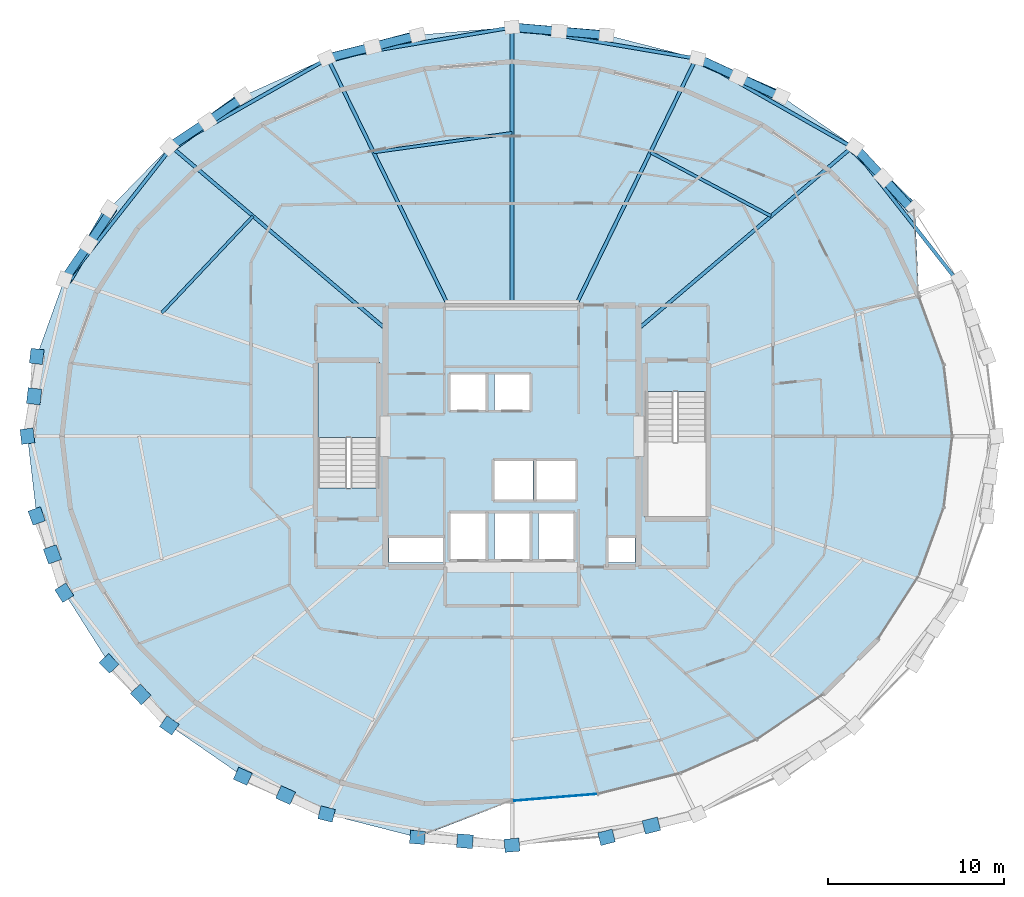
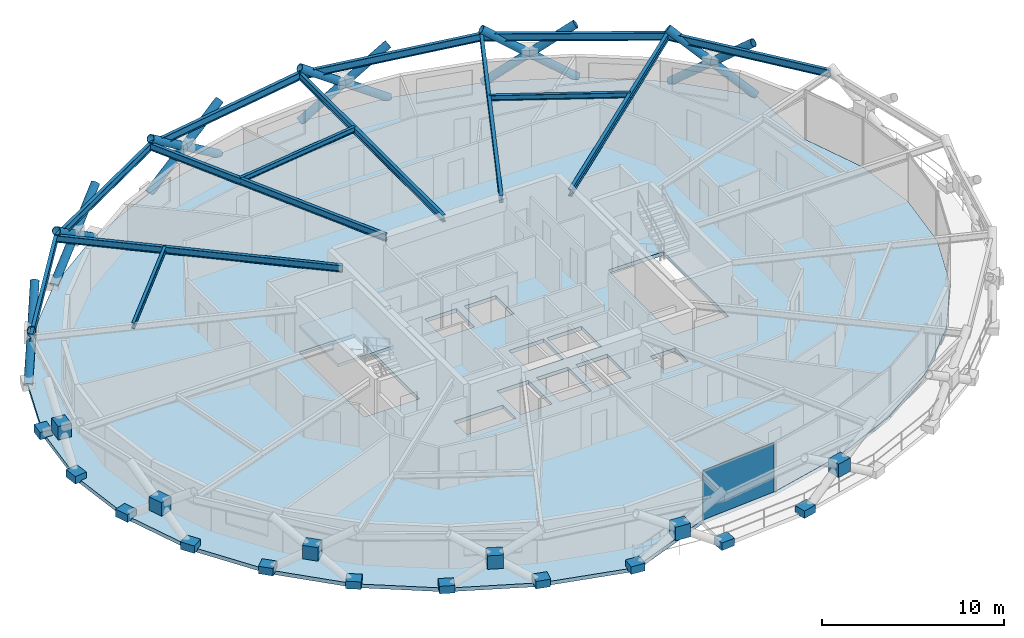
# One storey, part 9 of 15: 18 members, 18 plates, 14 beams, 2 slabs, 2 elements without a shape of their own.
"""IFC4 building model written with IfcOpenShell, lengths in metres."""

from ifc_helpers import new_model, si_unit, direction, frame, origin, origin_2d, place, context, subcontext, project, spatial, polyline, rectangle, hollow_circle, i_section, outline, extrude, material, layer, layer_set, material_profile, profile_set, type_object, element, aggregate, save


model = new_model("IFC4")

# Units and contexts
model_context = context("Model", 3, precision=1e-05, world=origin(), true_north=direction((0.0, 1.0)))
body_context = subcontext(model_context, "Body", "Model", "MODEL_VIEW")
ifc_project = project(units=[si_unit("LENGTHUNIT", "METRE"), si_unit("AREAUNIT", "SQUARE_METRE"), si_unit("VOLUMEUNIT", "CUBIC_METRE"), si_unit("PLANEANGLEUNIT", "RADIAN"), si_unit("MASSUNIT", "GRAM", prefix="KILO")], contexts=[model_context])

# Site, building, storey
site_placement = place(None, origin())
site = spatial("IfcSite", under=ifc_project, at=site_placement, CompositionType="ELEMENT")
building_placement = place(site_placement, origin())
building = spatial("IfcBuilding", under=site, at=building_placement, Name="Veldorina Hangang Commons", CompositionType="ELEMENT")
storey_placement = place(building_placement, frame((0.0, 0.0, 182.0)))
storey = spatial("IfcBuildingStorey", under=building, at=storey_placement, Name="L47", CompositionType="ELEMENT", Elevation=182.0)

# Beams
ifc_material_1 = material(Name="Steel SM355-TMC", Category="steel")
ifc_material_profile_1 = material_profile(ifc_material_1, i_section(OverallWidth=0.199951171875, OverallDepth=0.449951171875, WebThickness=0.009033203125, FlangeThickness=0.013916015625, FilletRadius=0.01611328125, at=origin_2d()), Name="H-450x200x9x14")
ifc_profile_set_1 = profile_set([ifc_material_profile_1], Name="Steel SM355-TMC")
beam_type_1 = type_object("IfcBeamType", Name="BM-FG450", PredefinedType="BEAM", material=ifc_profile_set_1)
beam_1_placement = place(storey_placement, frame((39.199951171875, 30.118896484375, 3.125), z_axis=(0.762001987409, 0.647574683866, 0.0), x_axis=(-0.647574683866, 0.762001987409, 0.0)))
element("IfcBeam", 1, at=beam_1_placement, inside=storey, type_object=beam_type_1, Name="L47 radial floor girder 03", PredefinedType="BEAM", context=body_context, shape_type="SweptSolid", body=[
    extrude(i_section(OverallWidth=0.199951171875, OverallDepth=0.449951171875, WebThickness=0.009033203125, FlangeThickness=0.013916015625, FilletRadius=0.01611328125, at=origin_2d()), origin(), (0.0, 0.0, 1.0), 15.955078125),
])
beam_2_placement = place(storey_placement, frame((35.631103515625, 31.449951171875, 3.125), z_axis=(0.43812743876, 0.898912869752, 0.0), x_axis=(-0.898912869752, 0.43812743876, 0.0)))
element("IfcBeam", 2, at=beam_2_placement, inside=storey, type_object=beam_type_1, Name="L47 radial floor girder 04", PredefinedType="BEAM", context=body_context, shape_type="SweptSolid", body=[
    extrude(i_section(OverallWidth=0.199951171875, OverallDepth=0.449951171875, WebThickness=0.009033203125, FlangeThickness=0.013916015625, FilletRadius=0.01611328125, at=origin_2d()), origin(), (0.0, 0.0, 1.0), 15.623779296875),
])
beam_3_placement = place(storey_placement, frame((32.0, 31.449951171875, 3.125), z_axis=(0.0, 1.0, 0.0), x_axis=(-1.0, 0.0, 0.0)))
element("IfcBeam", 3, at=beam_3_placement, inside=storey, type_object=beam_type_1, Name="L47 radial floor girder 05", PredefinedType="BEAM", context=body_context, shape_type="SweptSolid", body=[
    extrude(i_section(OverallWidth=0.199951171875, OverallDepth=0.449951171875, WebThickness=0.009033203125, FlangeThickness=0.013916015625, FilletRadius=0.01611328125, at=origin_2d()), origin(), (0.0, 0.0, 1.0), 15.8154296875),
])
beam_4_placement = place(storey_placement, frame((28.368896484375, 31.449951171875, 3.125), z_axis=(-0.43812743876, 0.898912869752, 0.0), x_axis=(-0.898912869752, -0.43812743876, 0.0)))
element("IfcBeam", 4, at=beam_4_placement, inside=storey, type_object=beam_type_1, Name="L47 radial floor girder 06", PredefinedType="BEAM", context=body_context, shape_type="SweptSolid", body=[
    extrude(i_section(OverallWidth=0.199951171875, OverallDepth=0.449951171875, WebThickness=0.009033203125, FlangeThickness=0.013916015625, FilletRadius=0.01611328125, at=origin_2d()), origin(), (0.0, 0.0, 1.0), 15.623779296875),
])
beam_5_placement = place(storey_placement, frame((24.800048828125, 30.118896484375, 3.125), z_axis=(-0.762001987409, 0.647574683866, 0.0), x_axis=(-0.647574683866, -0.762001987409, 0.0)))
element("IfcBeam", 5, at=beam_5_placement, inside=storey, type_object=beam_type_1, Name="L47 radial floor girder 07", PredefinedType="BEAM", context=body_context, shape_type="SweptSolid", body=[
    extrude(i_section(OverallWidth=0.199951171875, OverallDepth=0.449951171875, WebThickness=0.009033203125, FlangeThickness=0.013916015625, FilletRadius=0.01611328125, at=origin_2d()), origin(), (0.0, 0.0, 1.0), 15.955078125),
])
ifc_material_profile_2 = material_profile(ifc_material_1, i_section(OverallWidth=0.175048828125, OverallDepth=0.35009765625, WebThickness=0.007080078125, FlangeThickness=0.010986328125, FilletRadius=0.012939453125, at=origin_2d()), Name="H-350x175x7x11")
ifc_profile_set_2 = profile_set([ifc_material_profile_2], Name="Steel SM355-TMC")
beam_type_2 = type_object("IfcBeamType", Name="BM-JST350", PredefinedType="JOIST", material=ifc_profile_set_2)
beam_6_placement = place(storey_placement, frame((46.73779296875, 36.52490234375, 3.175048828125), z_axis=(-0.883823859155, 0.467819822141, 0.0), x_axis=(-0.467819822141, -0.883823859155, 0.0)))
element("IfcBeam", 6, at=beam_6_placement, inside=storey, type_object=beam_type_2, Name="L47 secondary floor joist 03", PredefinedType="JOIST", context=body_context, shape_type="SweptSolid", body=[
    extrude(i_section(OverallWidth=0.175048828125, OverallDepth=0.35009765625, WebThickness=0.007080078125, FlangeThickness=0.010986328125, FilletRadius=0.012939453125, at=origin_2d()), origin(), (0.0, 0.0, 1.0), 7.764892578125),
])
beam_7_placement = place(storey_placement, frame((32.0, 41.255615234375, 3.175048828125), z_axis=(-0.990416815274, -0.138110578965, 0.0), x_axis=(0.138110578965, -0.990416815274, 0.0)))
element("IfcBeam", 7, at=beam_7_placement, inside=storey, type_object=beam_type_2, Name="L47 secondary floor joist 05", PredefinedType="JOIST", context=body_context, shape_type="SweptSolid", body=[
    extrude(i_section(OverallWidth=0.175048828125, OverallDepth=0.35009765625, WebThickness=0.007080078125, FlangeThickness=0.010986328125, FilletRadius=0.012939453125, at=origin_2d()), origin(), (0.0, 0.0, 1.0), 7.951171875),
])
beam_8_placement = place(storey_placement, frame((17.26220703125, 36.52490234375, 3.175048828125), z_axis=(-0.685816257858, -0.727774731945, 0.0), x_axis=(0.727774731945, -0.685816257858, 0.0)))
element("IfcBeam", 8, at=beam_8_placement, inside=storey, type_object=beam_type_2, Name="L47 secondary floor joist 07", PredefinedType="JOIST", context=body_context, shape_type="SweptSolid", body=[
    extrude(i_section(OverallWidth=0.175048828125, OverallDepth=0.35009765625, WebThickness=0.007080078125, FlangeThickness=0.010986328125, FilletRadius=0.012939453125, at=origin_2d()), origin(), (0.0, 0.0, 1.0), 7.570068359375),
])
ifc_material_2 = material(Name="Steel SM420-TMC", Category="steel")
ifc_material_profile_3 = material_profile(ifc_material_2, i_section(OverallWidth=0.199951171875, OverallDepth=0.5, WebThickness=0.010009765625, FlangeThickness=0.01611328125, FilletRadius=0.01611328125, at=origin_2d()), Name="H-500x200x10x16")
ifc_profile_set_3 = profile_set([ifc_material_profile_3], Name="Steel SM420-TMC")
beam_type_3 = type_object("IfcBeamType", Name="BM-RB500", PredefinedType="BEAM", material=ifc_profile_set_3)
beam_9_placement = place(storey_placement, frame((57.2919921875, 32.9033203125, 3.10009765625), z_axis=(-0.618083179485, 0.786112703903, 0.0), x_axis=(-0.786112703903, -0.618083179485, 0.0)))
element("IfcBeam", 9, at=beam_9_placement, inside=storey, type_object=beam_type_3, Name="L47 perimeter hoop ring beam 02", PredefinedType="BEAM", context=body_context, shape_type="SweptSolid", body=[
    extrude(i_section(OverallWidth=0.199951171875, OverallDepth=0.5, WebThickness=0.010009765625, FlangeThickness=0.01611328125, FilletRadius=0.01611328125, at=origin_2d()), origin(), (0.0, 0.0, 1.0), 9.60107421875),
])
beam_10_placement = place(storey_placement, frame((51.357666015625, 40.450927734375, 3.10009765625), z_axis=(-0.869572738888, 0.493804872174, 0.0), x_axis=(-0.493804872174, -0.869572738888, 0.0)))
element("IfcBeam", 10, at=beam_10_placement, inside=storey, type_object=beam_type_3, Name="L47 perimeter hoop ring beam 04", PredefinedType="BEAM", context=body_context, shape_type="SweptSolid", body=[
    extrude(i_section(OverallWidth=0.199951171875, OverallDepth=0.5, WebThickness=0.010009765625, FlangeThickness=0.01611328125, FilletRadius=0.01611328125, at=origin_2d()), origin(), (0.0, 0.0, 1.0), 10.21337890625),
])
for number, where, z_axis, x_axis, name in (
    (11, (42.476318359375, 45.494384765625, 3.10009765625), (-0.986010588998, 0.166682687716, 0.0), (-0.166682687716, -0.986010588998, 0.0), "L47 perimeter hoop ring beam 06"),
    (12, (32.0, 47.265380859375, 3.10009765625), (-0.986010588998, -0.166682687716, 0.0), (0.166682687716, -0.986010588998, 0.0), "L47 perimeter hoop ring beam 08"),
):
    element("IfcBeam", number, at=place(storey_placement, frame(where, z_axis=z_axis, x_axis=x_axis)), inside=storey, type_object=beam_type_3, Name=name, PredefinedType="BEAM", context=body_context, shape_type="SweptSolid", body=[
        extrude(i_section(OverallWidth=0.199951171875, OverallDepth=0.5, WebThickness=0.010009765625, FlangeThickness=0.01611328125, FilletRadius=0.01611328125, at=origin_2d()), origin(), (0.0, 0.0, 1.0), 10.625),
    ])
beam_11_placement = place(storey_placement, frame((21.523681640625, 45.494384765625, 3.10009765625), z_axis=(-0.869572738888, -0.493804872174, 0.0), x_axis=(0.493804872174, -0.869572738888, 0.0)))
element("IfcBeam", 13, at=beam_11_placement, inside=storey, type_object=beam_type_3, Name="L47 perimeter hoop ring beam 10", PredefinedType="BEAM", context=body_context, shape_type="SweptSolid", body=[
    extrude(i_section(OverallWidth=0.199951171875, OverallDepth=0.5, WebThickness=0.010009765625, FlangeThickness=0.01611328125, FilletRadius=0.01611328125, at=origin_2d()), origin(), (0.0, 0.0, 1.0), 10.21337890625),
])
beam_12_placement = place(storey_placement, frame((12.642333984375, 40.450927734375, 3.10009765625), z_axis=(-0.618083179485, -0.786112703903, 0.0), x_axis=(0.786112703903, -0.618083179485, 0.0)))
element("IfcBeam", 14, at=beam_12_placement, inside=storey, type_object=beam_type_3, Name="L47 perimeter hoop ring beam 12", PredefinedType="BEAM", context=body_context, shape_type="SweptSolid", body=[
    extrude(i_section(OverallWidth=0.199951171875, OverallDepth=0.5, WebThickness=0.010009765625, FlangeThickness=0.01611328125, FilletRadius=0.01611328125, at=origin_2d()), origin(), (0.0, 0.0, 1.0), 9.60107421875),
])

# Members
ifc_material_profile_4 = material_profile(ifc_material_2, hollow_circle(Radius=0.25, WallThickness=0.02490234375, at=origin_2d()), Name="CHS-500x25")
ifc_profile_set_4 = profile_set([ifc_material_profile_4], Name="Steel SM420-TMC")
member_type = type_object("IfcMemberType", Name="DG-CHS500", PredefinedType="BRACE", material=ifc_profile_set_4)
member_1_placement = place(storey_placement, frame((54.9287109375, 36.931396484375, 0.0), z_axis=(-0.581068791452, 0.568832440297, 0.582055593965), x_axis=(-0.699542697446, -0.714590802103, 0.0)))
element("IfcMember", 15, at=member_1_placement, inside=storey, type_object=member_type, Name="L47 continuous perimeter diagrid brace 03", PredefinedType="BRACE", context=body_context, shape_type="SweptSolid", body=[
    extrude(hollow_circle(Radius=0.25, WallThickness=0.02490234375, at=origin_2d()), origin(), (0.0, 0.0, 1.0), 6.18505859375),
])
member_2_placement = place(storey_placement, frame((51.499267578125, 40.45849609375, 0.0), z_axis=(0.542256177693, -0.58745774213, 0.600709279906), x_axis=(0.734811241888, 0.678271655604, 0.0)))
element("IfcMember", 16, at=member_2_placement, inside=storey, type_object=member_type, Name="L47 split perimeter diagrid lower brace 04", PredefinedType="BRACE", context=body_context, shape_type="SweptSolid", body=[
    extrude(hollow_circle(Radius=0.25, WallThickness=0.02490234375, at=origin_2d()), origin(), (0.0, 0.0, 1.0), 3.0029296875),
])
member_3_placement = place(storey_placement, frame((53.127685546875, 38.6943359375, 1.803955078125), z_axis=(0.537541024068, -0.591833973795, 0.600651475405), x_axis=(0.740244961667, 0.672337264121, 0.0)))
element("IfcMember", 17, at=member_3_placement, inside=storey, type_object=member_type, Name="L47 split perimeter diagrid upper brace 04", PredefinedType="BRACE", context=body_context, shape_type="SweptSolid", body=[
    extrude(hollow_circle(Radius=0.25, WallThickness=0.02490234375, at=origin_2d()), origin(), (0.0, 0.0, 1.0), 2.990234375),
])
member_4_placement = place(storey_placement, frame((47.320556640625, 43.35302734375, 0.0), z_axis=(-0.757312914198, 0.333677559591, 0.561370141897), x_axis=(-0.40320412808, -0.915110065019, 0.0)))
element("IfcMember", 18, at=member_4_placement, inside=storey, type_object=member_type, Name="L47 continuous perimeter diagrid brace 05", PredefinedType="BRACE", context=body_context, shape_type="SweptSolid", body=[
    extrude(hollow_circle(Radius=0.25, WallThickness=0.02490234375, at=origin_2d()), origin(), (0.0, 0.0, 1.0), 6.4130859375),
])
member_5_placement = place(storey_placement, frame((42.552978515625, 45.50390625, 0.0), z_axis=(0.742397196708, -0.343123447714, 0.575423932374), x_axis=(0.419540530085, 0.907736604757, 0.0)))
element("IfcMember", 19, at=member_5_placement, inside=storey, type_object=member_type, Name="L47 split perimeter diagrid lower brace 06", PredefinedType="BRACE", context=body_context, shape_type="SweptSolid", body=[
    extrude(hollow_circle(Radius=0.25, WallThickness=0.02490234375, at=origin_2d()), origin(), (0.0, 0.0, 1.0), 3.13916015625),
])
member_6_placement = place(storey_placement, frame((44.883544921875, 44.4267578125, 1.806396484375), z_axis=(0.740284565043, -0.347664323342, 0.57542009092), x_axis=(0.425091300121, 0.905150477303, 0.0)))
element("IfcMember", 20, at=member_6_placement, inside=storey, type_object=member_type, Name="L47 split perimeter diagrid upper brace 06", PredefinedType="BRACE", context=body_context, shape_type="SweptSolid", body=[
    extrude(hollow_circle(Radius=0.25, WallThickness=0.02490234375, at=origin_2d()), origin(), (0.0, 0.0, 1.0), 3.1171875),
])
member_7_placement = place(storey_placement, frame((37.3798828125, 46.82861328125, 0.0), z_axis=(-0.829215222868, 0.0670567039, 0.554892343275), x_axis=(-0.080604540643, -0.996746160277, 0.0)))
element("IfcMember", 21, at=member_7_placement, inside=storey, type_object=member_type, Name="L47 continuous perimeter diagrid brace 07", PredefinedType="BRACE", context=body_context, shape_type="SweptSolid", body=[
    extrude(hollow_circle(Radius=0.25, WallThickness=0.02490234375, at=origin_2d()), origin(), (0.0, 0.0, 1.0), 6.488037109375),
])
member_8_placement = place(storey_placement, frame((32.0, 47.27587890625, 0.0), z_axis=(0.826853094223, -0.070612591076, 0.557967581993), x_axis=(0.08508948185, 0.996373313612, 0.0)))
element("IfcMember", 22, at=member_8_placement, inside=storey, type_object=member_type, Name="L47 split perimeter diagrid lower brace 08", PredefinedType="BRACE", context=body_context, shape_type="SweptSolid", body=[
    extrude(hollow_circle(Radius=0.25, WallThickness=0.02490234375, at=origin_2d()), origin(), (0.0, 0.0, 1.0), 3.23974609375),
])
member_9_placement = place(storey_placement, frame((34.6787109375, 47.047119140625, 1.8076171875), z_axis=(0.826735664047, -0.071744665091, 0.557997172774), x_axis=(0.086455724862, 0.996255693905, 0.0)))
element("IfcMember", 23, at=member_9_placement, inside=storey, type_object=member_type, Name="L47 split perimeter diagrid upper brace 08", PredefinedType="BRACE", context=body_context, shape_type="SweptSolid", body=[
    extrude(hollow_circle(Radius=0.25, WallThickness=0.02490234375, at=origin_2d()), origin(), (0.0, 0.0, 1.0), 3.21240234375),
])
member_10_placement = place(storey_placement, frame((26.6201171875, 46.82861328125, 0.0), z_axis=(-0.797968430601, -0.209646815397, 0.565061586518), x_axis=(0.254102343658, -0.967177335832, 0.0)))
element("IfcMember", 24, at=member_10_placement, inside=storey, type_object=member_type, Name="L47 continuous perimeter diagrid brace 09", PredefinedType="BRACE", context=body_context, shape_type="SweptSolid", body=[
    extrude(hollow_circle(Radius=0.25, WallThickness=0.02490234375, at=origin_2d()), origin(), (0.0, 0.0, 1.0), 6.37109375),
])
member_11_placement = place(storey_placement, frame((21.447021484375, 45.50390625, 0.0), z_axis=(0.806447159846, 0.201236209131, 0.556009861883), x_axis=(-0.242110315185, 0.970248728565, 0.0)))
element("IfcMember", 25, at=member_11_placement, inside=storey, type_object=member_type, Name="L47 split perimeter diagrid lower brace 10", PredefinedType="BRACE", context=body_context, shape_type="SweptSolid", body=[
    extrude(hollow_circle(Radius=0.25, WallThickness=0.02490234375, at=origin_2d()), origin(), (0.0, 0.0, 1.0), 3.250244140625),
])
member_12_placement = place(storey_placement, frame((24.068115234375, 46.157958984375, 1.80712890625), z_axis=(0.805610747555, 0.20429906917, 0.556105398068), x_axis=(-0.245814191026, 0.969316967504, 0.0)))
element("IfcMember", 26, at=member_12_placement, inside=storey, type_object=member_type, Name="L47 split perimeter diagrid upper brace 10", PredefinedType="BRACE", context=body_context, shape_type="SweptSolid", body=[
    extrude(hollow_circle(Radius=0.25, WallThickness=0.02490234375, at=origin_2d()), origin(), (0.0, 0.0, 1.0), 3.22412109375),
])
member_13_placement = place(storey_placement, frame((16.679443359375, 43.35302734375, 0.0), z_axis=(-0.655479424604, -0.474088390548, 0.587866414986), x_axis=(0.586048198823, -0.810276192823, 0.0)))
element("IfcMember", 27, at=member_13_placement, inside=storey, type_object=member_type, Name="L47 continuous perimeter diagrid brace 11", PredefinedType="BRACE", context=body_context, shape_type="SweptSolid", body=[
    extrude(hollow_circle(Radius=0.25, WallThickness=0.02490234375, at=origin_2d()), origin(), (0.0, 0.0, 1.0), 6.1240234375),
])
member_14_placement = place(storey_placement, frame((12.500732421875, 40.45849609375, 0.0), z_axis=(0.684192391009, 0.454508596575, 0.570353142995), x_axis=(-0.553334333432, 0.832959251972, 0.0)))
element("IfcMember", 28, at=member_14_placement, inside=storey, type_object=member_type, Name="L47 split perimeter diagrid lower brace 12", PredefinedType="BRACE", context=body_context, shape_type="SweptSolid", body=[
    extrude(hollow_circle(Radius=0.25, WallThickness=0.02490234375, at=origin_2d()), origin(), (0.0, 0.0, 1.0), 3.16552734375),
])
member_15_placement = place(storey_placement, frame((14.66650390625, 41.897216796875, 1.805419921875), z_axis=(0.680850825234, 0.459487018466, 0.570362896444), x_axis=(-0.559399847099, 0.828897949729, 0.0)))
element("IfcMember", 29, at=member_15_placement, inside=storey, type_object=member_type, Name="L47 split perimeter diagrid upper brace 12", PredefinedType="BRACE", context=body_context, shape_type="SweptSolid", body=[
    extrude(hollow_circle(Radius=0.25, WallThickness=0.02490234375, at=origin_2d()), origin(), (0.0, 0.0, 1.0), 3.146484375),
])
member_16_placement = place(storey_placement, frame((9.0712890625, 36.931396484375, 0.0), z_axis=(-0.396458155095, -0.684561313736, 0.611716224237), x_axis=(0.865353274702, -0.501162358885, 0.0)))
element("IfcMember", 30, at=member_16_placement, inside=storey, type_object=member_type, Name="L47 continuous perimeter diagrid brace 13", PredefinedType="BRACE", context=body_context, shape_type="SweptSolid", body=[
    extrude(hollow_circle(Radius=0.25, WallThickness=0.02490234375, at=origin_2d()), origin(), (0.0, 0.0, 1.0), 5.88525390625),
])
member_17_placement = place(storey_placement, frame((6.52294921875, 32.9072265625, 0.0), z_axis=(0.455457879786, 0.662359672691, 0.594842654601), x_axis=(-0.823992204737, 0.566601135309, 0.0)))
element("IfcMember", 31, at=member_17_placement, inside=storey, type_object=member_type, Name="L47 split perimeter diagrid lower brace 14", PredefinedType="BRACE", context=body_context, shape_type="SweptSolid", body=[
    extrude(hollow_circle(Radius=0.25, WallThickness=0.02490234375, at=origin_2d()), origin(), (0.0, 0.0, 1.0), 3.0302734375),
])
member_18_placement = place(storey_placement, frame((7.903076171875, 34.914306640625, 1.802490234375), z_axis=(0.450768103207, 0.665404188204, 0.595017128704), x_axis=(-0.827912666164, 0.560857038118, 0.0)))
element("IfcMember", 32, at=member_18_placement, inside=storey, type_object=member_type, Name="L47 split perimeter diagrid upper brace 14", PredefinedType="BRACE", context=body_context, shape_type="SweptSolid", body=[
    extrude(hollow_circle(Radius=0.25, WallThickness=0.02490234375, at=origin_2d()), origin(), (0.0, 0.0, 1.0), 3.02099609375),
])

# Curtain wall, plate
ifc_material_3 = material(Name="Glass Low-E Triple IGU", Category="glass")
ifc_layer_1 = layer(ifc_material_3, 0.179931640625)
ifc_layer_set_1 = layer_set([ifc_layer_1], Name="Glass Low-E Triple IGU")
curtain_wall_type = type_object("IfcCurtainWallType", Name="CW-SYS-Z2", PredefinedType="NOTDEFINED", material=ifc_layer_set_1)
curtain_wall_placement = place(storey_placement, origin())
curtain_wall = element("IfcCurtainWall", 33, at=curtain_wall_placement, inside=storey, type_object=curtain_wall_type, Name="L47 unitised curtain wall CW-L47-R1", PredefinedType="NOTDEFINED")
ifc_layer_2 = layer(ifc_material_3, 0.0400390625)
ifc_layer_set_2 = layer_set([ifc_layer_2], Name="Glass Low-E Triple IGU")
plate_type_1 = type_object("IfcPlateType", Name="CW-PNL-VIS", PredefinedType="CURTAIN_PANEL", material=ifc_layer_set_2)
plate_1_placement = place(storey_placement, frame((34.444091796875, 3.443603515625, 0.01513671875), z_axis=(0.0, 0.0, 1.0), x_axis=(0.99668867357, 0.081312286759, 0.0)))
plate_1 = element("IfcPlate", 34, at=plate_1_placement, type_object=plate_type_1, Name="CW-L47-R1 facet 1 glazed vision panel", PredefinedType="CURTAIN_PANEL", context=body_context, shape_type="SweptSolid", body=[
    extrude(rectangle(XDim=4.724365234375, YDim=0.0400390625, at=origin_2d()), origin(), (0.0, 0.0, 1.0), 3.280029296875),
])
aggregate(curtain_wall, [plate_1])

# Plates
ifc_material_4 = material(Name="Steel SM460-TMC", Category="steel")
ifc_layer_3 = layer(ifc_material_4, 0.035888671875)
ifc_layer_set_3 = layer_set([ifc_layer_3], Name="Steel SM460-TMC")
plate_type_2 = type_object("IfcPlateType", Name="PL-STAR-36", PredefinedType="USERDEFINED", material=ifc_layer_set_3)
plate_2_placement = place(storey_placement, frame((4.95361328125, 28.541015625, -0.090087890625), z_axis=(0.0, 0.0, 1.0), x_axis=(-0.115908002465, -0.993259953368, 0.0)))
element("IfcPlate", 35, at=plate_2_placement, inside=storey, type_object=plate_type_2, Name="L47 diagrid star-node gusset plate 15", ObjectType="GUSSET PLATE", PredefinedType="USERDEFINED", context=body_context, shape_type="SweptSolid", body=[
    extrude(rectangle(XDim=0.85009765625, YDim=0.75, at=origin_2d()), origin(), (0.0, 0.0, 1.0), 0.5),
])
plate_3_placement = place(storey_placement, frame((4.80517578125, 26.269775390625, 1.3505859375), z_axis=(0.0, 0.0, 1.0), x_axis=(-0.115908002465, -0.993259953368, 0.0)))
element("IfcPlate", 36, at=plate_3_placement, inside=storey, type_object=plate_type_2, Name="L47 diagrid X-crossing star-node gusset plate 15", ObjectType="GUSSET PLATE", PredefinedType="USERDEFINED", context=body_context, shape_type="SweptSolid", body=[
    extrude(rectangle(XDim=0.89990234375, YDim=0.780029296875, at=origin_2d()), origin(), (0.0, 0.0, 1.0), 0.89990234375),
])
for number, where, z_axis, x_axis, name in (
    (37, (4.423828125, 24.0, -0.090087890625), (0.0, 0.0, 1.0), (0.115908002465, -0.993259953368, 0.0), "L47 diagrid star-node gusset plate 16"),
    (38, (4.95361328125, 19.458984375, -0.090087890625), (0.0, 0.0, 1.0), (0.33819595567, -0.941075711921, 0.0), "L47 diagrid star-node gusset plate 17"),
):
    element("IfcPlate", number, at=place(storey_placement, frame(where, z_axis=z_axis, x_axis=x_axis)), inside=storey, type_object=plate_type_2, Name=name, ObjectType="GUSSET PLATE", PredefinedType="USERDEFINED", context=body_context, shape_type="SweptSolid", body=[
        extrude(rectangle(XDim=0.85009765625, YDim=0.75, at=origin_2d()), origin(), (0.0, 0.0, 1.0), 0.5),
    ])
plate_4_placement = place(storey_placement, frame((5.846435546875, 17.276611328125, 1.351318359375), z_axis=(0.0, 0.0, 1.0), x_axis=(0.33819595567, -0.941075711921, 0.0)))
element("IfcPlate", 39, at=plate_4_placement, inside=storey, type_object=plate_type_2, Name="L47 diagrid X-crossing star-node gusset plate 17", ObjectType="GUSSET PLATE", PredefinedType="USERDEFINED", context=body_context, shape_type="SweptSolid", body=[
    extrude(rectangle(XDim=0.89990234375, YDim=0.780029296875, at=origin_2d()), origin(), (0.0, 0.0, 1.0), 0.89990234375),
])
for number, where, z_axis, x_axis, name in (
    (40, (6.52294921875, 15.0927734375, -0.090087890625), (0.0, 0.0, 1.0), (0.535016051605, -0.844841893211, 0.0), "L47 diagrid star-node gusset plate 18"),
    (41, (9.0712890625, 11.068603515625, -0.090087890625), (0.0, 0.0, 1.0), (0.697102537947, -0.716971444053, 0.0), "L47 diagrid star-node gusset plate 19"),
):
    element("IfcPlate", number, at=place(storey_placement, frame(where, z_axis=z_axis, x_axis=x_axis)), inside=storey, type_object=plate_type_2, Name=name, ObjectType="GUSSET PLATE", PredefinedType="USERDEFINED", context=body_context, shape_type="SweptSolid", body=[
        extrude(rectangle(XDim=0.85009765625, YDim=0.75, at=origin_2d()), origin(), (0.0, 0.0, 1.0), 0.5),
    ])
plate_5_placement = place(storey_placement, frame((10.872314453125, 9.3056640625, 1.35400390625), z_axis=(0.0, 0.0, 1.0), x_axis=(0.697102537947, -0.716971444053, 0.0)))
element("IfcPlate", 42, at=plate_5_placement, inside=storey, type_object=plate_type_2, Name="L47 diagrid X-crossing star-node gusset plate 19", ObjectType="GUSSET PLATE", PredefinedType="USERDEFINED", context=body_context, shape_type="SweptSolid", body=[
    extrude(rectangle(XDim=0.89990234375, YDim=0.780029296875, at=origin_2d()), origin(), (0.0, 0.0, 1.0), 0.89990234375),
])
for number, where, z_axis, x_axis, name in (
    (43, (12.500732421875, 7.54150390625, -0.090087890625), (0.0, 0.0, 1.0), (0.822044670489, -0.569423005964, 0.0), "L47 diagrid star-node gusset plate 20"),
    (44, (16.679443359375, 4.64697265625, -0.090087890625), (0.0, 0.0, 1.0), (0.911525335284, -0.4112439217, 0.0), "L47 diagrid star-node gusset plate 21"),
):
    element("IfcPlate", number, at=place(storey_placement, frame(where, z_axis=z_axis, x_axis=x_axis)), inside=storey, type_object=plate_type_2, Name=name, ObjectType="GUSSET PLATE", PredefinedType="USERDEFINED", context=body_context, shape_type="SweptSolid", body=[
        extrude(rectangle(XDim=0.85009765625, YDim=0.75, at=origin_2d()), origin(), (0.0, 0.0, 1.0), 0.5),
    ])
plate_6_placement = place(storey_placement, frame((19.116455078125, 3.5732421875, 1.3564453125), z_axis=(0.0, 0.0, 1.0), x_axis=(0.911525335284, -0.4112439217, 0.0)))
element("IfcPlate", 45, at=plate_6_placement, inside=storey, type_object=plate_type_2, Name="L47 diagrid X-crossing star-node gusset plate 21", ObjectType="GUSSET PLATE", PredefinedType="USERDEFINED", context=body_context, shape_type="SweptSolid", body=[
    extrude(rectangle(XDim=0.89990234375, YDim=0.780029296875, at=origin_2d()), origin(), (0.0, 0.0, 1.0), 0.89990234375),
])
for number, where, z_axis, x_axis, name in (
    (46, (21.447021484375, 2.49609375, -0.090087890625), (0.0, 0.0, 1.0), (0.968747885472, -0.248047443837, 0.0), "L47 diagrid star-node gusset plate 22"),
    (47, (26.6201171875, 1.17138671875, -0.090087890625), (0.0, 0.0, 1.0), (0.996562611339, -0.08284299416, 0.0), "L47 diagrid star-node gusset plate 23"),
):
    element("IfcPlate", number, at=place(storey_placement, frame(where, z_axis=z_axis, x_axis=x_axis)), inside=storey, type_object=plate_type_2, Name=name, ObjectType="GUSSET PLATE", PredefinedType="USERDEFINED", context=body_context, shape_type="SweptSolid", body=[
        extrude(rectangle(XDim=0.85009765625, YDim=0.75, at=origin_2d()), origin(), (0.0, 0.0, 1.0), 0.5),
    ])
plate_7_placement = place(storey_placement, frame((29.3212890625, 0.952880859375, 1.357666015625), z_axis=(0.0, 0.0, 1.0), x_axis=(0.996562611339, -0.08284299416, 0.0)))
element("IfcPlate", 48, at=plate_7_placement, inside=storey, type_object=plate_type_2, Name="L47 diagrid X-crossing star-node gusset plate 23", ObjectType="GUSSET PLATE", PredefinedType="USERDEFINED", context=body_context, shape_type="SweptSolid", body=[
    extrude(rectangle(XDim=0.89990234375, YDim=0.780029296875, at=origin_2d()), origin(), (0.0, 0.0, 1.0), 0.89990234375),
])
for number, where, z_axis, x_axis, name in (
    (49, (32.0, 0.72412109375, -0.090087890625), (0.0, 0.0, 1.0), (0.996562611339, 0.08284299416, 0.0), "L47 diagrid star-node gusset plate 24"),
    (50, (37.3798828125, 1.17138671875, -0.090087890625), (0.0, 0.0, 1.0), (0.968747885472, 0.248047443837, 0.0), "L47 diagrid star-node gusset plate 25"),
):
    element("IfcPlate", number, at=place(storey_placement, frame(where, z_axis=z_axis, x_axis=x_axis)), inside=storey, type_object=plate_type_2, Name=name, ObjectType="GUSSET PLATE", PredefinedType="USERDEFINED", context=body_context, shape_type="SweptSolid", body=[
        extrude(rectangle(XDim=0.85009765625, YDim=0.75, at=origin_2d()), origin(), (0.0, 0.0, 1.0), 0.5),
    ])
plate_8_placement = place(storey_placement, frame((39.931884765625, 1.842041015625, 1.357177734375), z_axis=(0.0, 0.0, 1.0), x_axis=(0.968747885472, 0.248047443837, 0.0)))
element("IfcPlate", 51, at=plate_8_placement, inside=storey, type_object=plate_type_2, Name="L47 diagrid X-crossing star-node gusset plate 25", ObjectType="GUSSET PLATE", PredefinedType="USERDEFINED", context=body_context, shape_type="SweptSolid", body=[
    extrude(rectangle(XDim=0.89990234375, YDim=0.780029296875, at=origin_2d()), origin(), (0.0, 0.0, 1.0), 0.89990234375),
])

# Slab
ifc_material_5 = material(Name="Concrete C40/50", Category="concrete")
ifc_layer_4 = layer(ifc_material_5, 0.25)
ifc_layer_set_4 = layer_set([ifc_layer_4], Name="Concrete C40/50")
slab_type_1 = type_object("IfcSlabType", Name="SL-FLR-250", PredefinedType="FLOOR", material=ifc_layer_set_4)
slab_1_placement = place(storey_placement, frame((0.0, 0.0, -0.25)))
element("IfcSlab", 52, at=slab_1_placement, inside=storey, type_object=slab_type_1, Name="L47 tower structural floor slab", PredefinedType="FLOOR", context=body_context, shape_type="SweptSolid", body=[
    extrude(outline(polyline([(57.05615234375, 24.0), (56.57470703125, 28.04931640625), (55.14892578125, 31.94287109375), (54.9287109375, 36.931396484375), (51.499267578125, 40.45849609375), (47.320556640625, 43.35302734375), (42.552978515625, 45.50390625), (37.3798828125, 46.82861328125), (32.0, 47.27587890625), (26.6201171875, 46.82861328125), (21.447021484375, 45.50390625), (16.679443359375, 43.35302734375), (12.500732421875, 40.45849609375), (9.0712890625, 36.931396484375), (6.52294921875, 32.9072265625), (4.95361328125, 28.541015625), (4.423828125, 24.0), (4.95361328125, 19.458984375), (6.52294921875, 15.0927734375), (9.0712890625, 11.068603515625), (12.500732421875, 7.54150390625), (16.679443359375, 4.64697265625), (21.447021484375, 2.49609375), (26.6201171875, 1.17138671875), (32.0, 3.244140625), (36.88818359375, 3.64306640625), (41.588623046875, 4.82421875), (45.92041015625, 6.7421875), (49.71728515625, 9.323486328125), (52.83349609375, 12.46875), (55.14892578125, 16.05712890625), (56.57470703125, 19.95068359375), (57.05615234375, 24.0)]), holes=[polyline([(20.949951171875, 21.05810546875), (20.949951171875, 28.199951171875), (24.449951171875, 28.199951171875), (24.449951171875, 21.05810546875), (20.949951171875, 21.05810546875)]), polyline([(43.050048828125, 26.5419921875), (43.050048828125, 19.39990234375), (39.550048828125, 19.39990234375), (39.550048828125, 26.5419921875), (43.050048828125, 26.5419921875)]), polyline([(28.5, 27.5), (30.5, 27.5), (30.5, 25.5), (28.5, 25.5), (28.5, 27.5)]), polyline([(31.0, 27.5), (33.0, 27.5), (33.0, 25.5), (31.0, 25.5), (31.0, 27.5)]), polyline([(31.0, 22.60009765625), (33.199951171875, 22.60009765625), (33.199951171875, 20.39990234375), (31.0, 20.39990234375), (31.0, 22.60009765625)]), polyline([(33.39990234375, 22.60009765625), (35.60009765625, 22.60009765625), (35.60009765625, 20.39990234375), (33.39990234375, 20.39990234375), (33.39990234375, 22.60009765625)]), polyline([(28.5, 19.60009765625), (30.5, 19.60009765625), (30.5, 17.0), (28.5, 17.0), (28.5, 19.60009765625)]), polyline([(31.0, 19.60009765625), (33.0, 19.60009765625), (33.0, 17.0), (31.0, 17.0), (31.0, 19.60009765625)]), polyline([(33.5, 19.60009765625), (35.5, 19.60009765625), (35.5, 17.0), (33.5, 17.0), (33.5, 19.60009765625)]), polyline([(25.0, 18.25), (28.10009765625, 18.25), (28.10009765625, 16.800048828125), (25.0, 16.800048828125), (25.0, 18.25)]), polyline([(37.449951171875, 18.25), (39.0, 18.25), (39.0, 16.800048828125), (37.449951171875, 16.800048828125), (37.449951171875, 18.25)])]), origin(), (0.0, 0.0, 1.0), 0.25),
])

# Stair, slab
stair_type = type_object("IfcStairType", Name="STR-DOG-1650-20R", PredefinedType="HALF_TURN_STAIR", material=ifc_material_5)
stair_placement = place(storey_placement, origin())
stair = element("IfcStair", 53, at=stair_placement, inside=storey, type_object=stair_type, Name="L47 Exit stair ST-1", PredefinedType="HALF_TURN_STAIR")
ifc_layer_5 = layer(ifc_material_5, 0.199951171875)
ifc_layer_set_5 = layer_set([ifc_layer_5], Name="Concrete C40/50")
slab_type_2 = type_object("IfcSlabType", Name="SL-LND-200", PredefinedType="LANDING", material=ifc_layer_set_5)
slab_2_placement = place(storey_placement, frame((0.0, 0.0, 1.60009765625)))
slab_2 = element("IfcSlab", 54, at=slab_2_placement, type_object=slab_type_2, Name="ST-1 landing 1", PredefinedType="LANDING", context=body_context, shape_type="SweptSolid", body=[
    extrude(outline(polyline([(24.449951171875, 23.929931640625), (24.449951171875, 28.199951171875), (20.949951171875, 28.199951171875), (20.949951171875, 23.929931640625), (24.449951171875, 23.929931640625)])), origin(), (0.0, 0.0, 1.0), 0.199951171875),
])
aggregate(stair, [slab_2])

save(model, "model.ifc")
